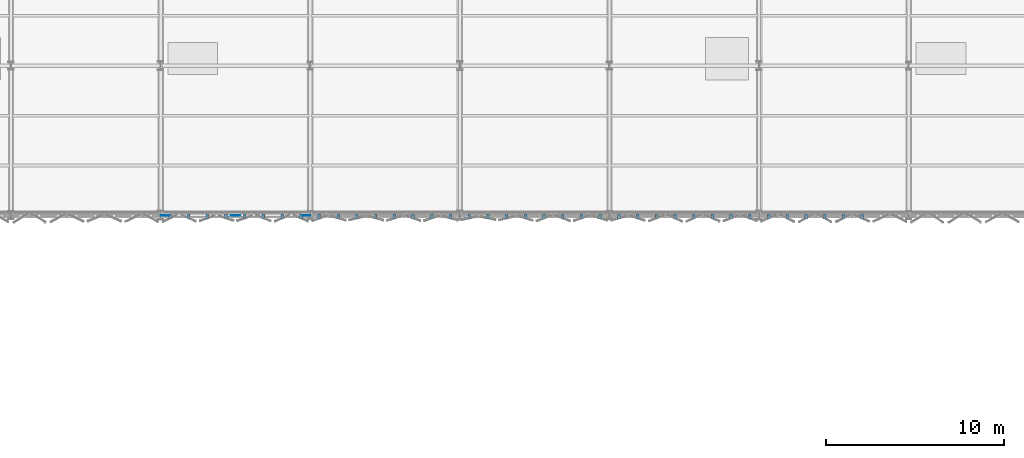
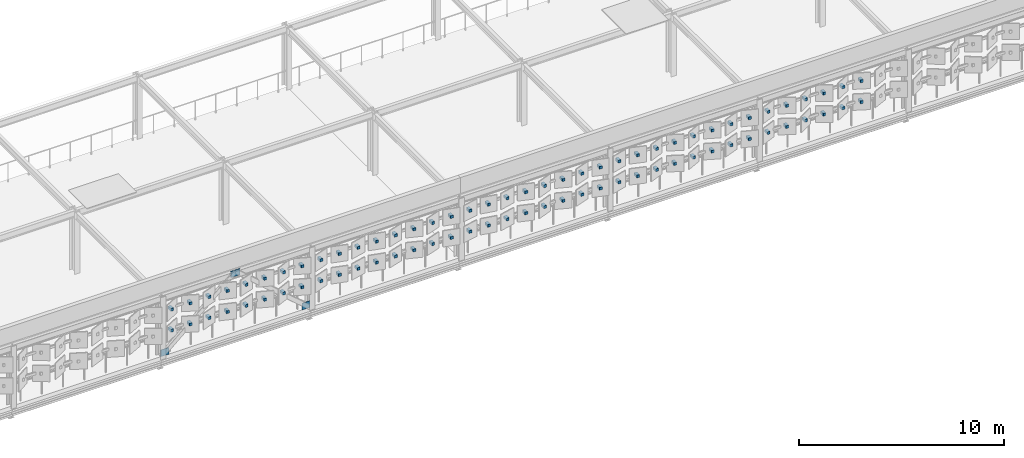
# One storey, part 57 of 65: 79 discrete accessories.
"""IFC4 building model written with IfcOpenShell, lengths in metres."""

from ifc_helpers import new_model, si_unit, direction, frame, origin, origin_2d, place, context, subcontext, project, spatial, rectangle, extrude, material, type_object, element, save


model = new_model("IFC4")

# Units and contexts
model_context = context("Model", 3, precision=1e-05, world=origin(), true_north=direction((0.0, 1.0)))
body_context = subcontext(model_context, "Body", "Model", "MODEL_VIEW")
ifc_project = project(units=[si_unit("LENGTHUNIT", "METRE"), si_unit("AREAUNIT", "SQUARE_METRE"), si_unit("VOLUMEUNIT", "CUBIC_METRE"), si_unit("PLANEANGLEUNIT", "RADIAN"), si_unit("MASSUNIT", "GRAM", prefix="KILO")], contexts=[model_context])

# Site, building, storey
site_placement = place(None, origin())
site = spatial("IfcSite", under=ifc_project, at=site_placement, CompositionType="ELEMENT")
building_placement = place(site_placement, origin())
building = spatial("IfcBuilding", under=site, at=building_placement, Name="Qalvenar Corner Mobility Hub", CompositionType="ELEMENT")
storey_placement = place(building_placement, frame((0.0, 0.0, 17.39990234375)))
storey = spatial("IfcBuildingStorey", under=building, at=storey_placement, Name="L04", CompositionType="ELEMENT", Elevation=17.39990234375)

# Discrete accessories
ifc_material = material(Name="Steel S355", Category="steel")
discrete_accessory_type_1 = type_object("IfcDiscreteAccessoryType", Name="ACC-GUSSET-PLT", PredefinedType="BRACKET", material=ifc_material)
discrete_accessory_placement = place(storey_placement, frame((88.199951171875, 67.199951171875, 3.330078125), z_axis=(0.0, 0.0, 1.0), x_axis=(1.0, 0.0, 0.0)))
element("IfcDiscreteAccessory", 1, at=discrete_accessory_placement, inside=storey, type_object=discrete_accessory_type_1, Name="Chevron Apex Gusset Plate GP-A-043", PredefinedType="BRACKET", context=body_context, shape_type="SweptSolid", body=[
    extrude(rectangle(XDim=0.52001953125, YDim=0.02490234375, at=origin_2d()), origin(), (0.0, 0.0, 1.0), 0.3798828125),
])
for number, where, z_axis, x_axis, name in (
    (2, (84.219970703125, 67.199951171875, 0.000244140625), (0.0, 0.0, 1.0), (1.0, 0.0, 0.0), "Brace Base Gusset Plate GP-B-044"),
    (3, (92.179931640625, 67.199951171875, 0.000244140625), (0.0, 0.0, 1.0), (1.0, 0.0, 0.0), "Brace Base Gusset Plate GP-B-045"),
):
    element("IfcDiscreteAccessory", number, at=place(storey_placement, frame(where, z_axis=z_axis, x_axis=x_axis)), inside=storey, type_object=discrete_accessory_type_1, Name=name, PredefinedType="BRACKET", context=body_context, shape_type="SweptSolid", body=[
        extrude(rectangle(XDim=0.449951171875, YDim=0.02490234375, at=origin_2d()), origin(), (0.0, 0.0, 1.0), 0.39990234375),
    ])
discrete_accessory_type_2 = type_object("IfcDiscreteAccessoryType", Name="ACC-HINGE-BRK", PredefinedType="BRACKET", material=ifc_material)
for number, where, z_axis, x_axis, name in (
    (4, (84.52490234375, 67.1201171875, 1.419921875), (0.0, 0.0, 1.0), (1.0, 0.0, 0.0), "Panel Hinge Bracket BK-L04-1113"),
    (5, (84.52490234375, 67.1201171875, 2.669921875), (0.0, 0.0, 1.0), (1.0, 0.0, 0.0), "Panel Hinge Bracket BK-L04-1114"),
    (6, (85.574951171875, 67.1201171875, 1.419921875), (0.0, 0.0, 1.0), (1.0, 0.0, 0.0), "Panel Hinge Bracket BK-L04-1115"),
    (7, (85.574951171875, 67.1201171875, 2.669921875), (0.0, 0.0, 1.0), (1.0, 0.0, 0.0), "Panel Hinge Bracket BK-L04-1116"),
    (8, (86.625, 67.1201171875, 1.419921875), (0.0, 0.0, 1.0), (1.0, 0.0, 0.0), "Panel Hinge Bracket BK-L04-1117"),
    (9, (86.625, 67.1201171875, 2.669921875), (0.0, 0.0, 1.0), (1.0, 0.0, 0.0), "Panel Hinge Bracket BK-L04-1118"),
    (10, (87.675048828125, 67.1201171875, 1.419921875), (0.0, 0.0, 1.0), (1.0, 0.0, 0.0), "Panel Hinge Bracket BK-L04-1119"),
    (11, (87.675048828125, 67.1201171875, 2.669921875), (0.0, 0.0, 1.0), (1.0, 0.0, 0.0), "Panel Hinge Bracket BK-L04-1120"),
    (12, (88.72509765625, 67.1201171875, 1.419921875), (0.0, 0.0, 1.0), (1.0, 0.0, 0.0), "Panel Hinge Bracket BK-L04-1121"),
    (13, (88.72509765625, 67.1201171875, 2.669921875), (0.0, 0.0, 1.0), (1.0, 0.0, 0.0), "Panel Hinge Bracket BK-L04-1122"),
    (14, (89.77490234375, 67.1201171875, 1.419921875), (0.0, 0.0, 1.0), (1.0, 0.0, 0.0), "Panel Hinge Bracket BK-L04-1123"),
    (15, (89.77490234375, 67.1201171875, 2.669921875), (0.0, 0.0, 1.0), (1.0, 0.0, 0.0), "Panel Hinge Bracket BK-L04-1124"),
    (16, (90.824951171875, 67.1201171875, 1.419921875), (0.0, 0.0, 1.0), (1.0, 0.0, 0.0), "Panel Hinge Bracket BK-L04-1125"),
    (17, (90.824951171875, 67.1201171875, 2.669921875), (0.0, 0.0, 1.0), (1.0, 0.0, 0.0), "Panel Hinge Bracket BK-L04-1126"),
    (18, (91.875, 67.1201171875, 1.419921875), (0.0, 0.0, 1.0), (1.0, 0.0, 0.0), "Panel Hinge Bracket BK-L04-1127"),
    (19, (91.875, 67.1201171875, 2.669921875), (0.0, 0.0, 1.0), (1.0, 0.0, 0.0), "Panel Hinge Bracket BK-L04-1128"),
    (20, (92.925048828125, 67.1201171875, 1.419921875), (0.0, 0.0, 1.0), (1.0, 0.0, 0.0), "Panel Hinge Bracket BK-L04-1129"),
    (21, (92.925048828125, 67.1201171875, 2.669921875), (0.0, 0.0, 1.0), (1.0, 0.0, 0.0), "Panel Hinge Bracket BK-L04-1130"),
    (22, (93.97509765625, 67.1201171875, 1.419921875), (0.0, 0.0, 1.0), (1.0, 0.0, 0.0), "Panel Hinge Bracket BK-L04-1131"),
    (23, (93.97509765625, 67.1201171875, 2.669921875), (0.0, 0.0, 1.0), (1.0, 0.0, 0.0), "Panel Hinge Bracket BK-L04-1132"),
    (24, (95.02490234375, 67.1201171875, 1.419921875), (0.0, 0.0, 1.0), (1.0, 0.0, 0.0), "Panel Hinge Bracket BK-L04-1133"),
    (25, (95.02490234375, 67.1201171875, 2.669921875), (0.0, 0.0, 1.0), (1.0, 0.0, 0.0), "Panel Hinge Bracket BK-L04-1134"),
    (26, (96.074951171875, 67.1201171875, 1.419921875), (0.0, 0.0, 1.0), (1.0, 0.0, 0.0), "Panel Hinge Bracket BK-L04-1135"),
    (27, (96.074951171875, 67.1201171875, 2.669921875), (0.0, 0.0, 1.0), (1.0, 0.0, 0.0), "Panel Hinge Bracket BK-L04-1136"),
    (28, (97.125, 67.1201171875, 1.419921875), (0.0, 0.0, 1.0), (1.0, 0.0, 0.0), "Panel Hinge Bracket BK-L04-1137"),
    (29, (97.125, 67.1201171875, 2.669921875), (0.0, 0.0, 1.0), (1.0, 0.0, 0.0), "Panel Hinge Bracket BK-L04-1138"),
    (30, (98.175048828125, 67.1201171875, 1.419921875), (0.0, 0.0, 1.0), (1.0, 0.0, 0.0), "Panel Hinge Bracket BK-L04-1139"),
    (31, (98.175048828125, 67.1201171875, 2.669921875), (0.0, 0.0, 1.0), (1.0, 0.0, 0.0), "Panel Hinge Bracket BK-L04-1140"),
    (32, (99.22509765625, 67.1201171875, 1.419921875), (0.0, 0.0, 1.0), (1.0, 0.0, 0.0), "Panel Hinge Bracket BK-L04-1141"),
    (33, (99.22509765625, 67.1201171875, 2.669921875), (0.0, 0.0, 1.0), (1.0, 0.0, 0.0), "Panel Hinge Bracket BK-L04-1142"),
    (34, (100.27490234375, 67.1201171875, 1.419921875), (0.0, 0.0, 1.0), (1.0, 0.0, 0.0), "Panel Hinge Bracket BK-L04-1143"),
    (35, (100.27490234375, 67.1201171875, 2.669921875), (0.0, 0.0, 1.0), (1.0, 0.0, 0.0), "Panel Hinge Bracket BK-L04-1144"),
    (36, (101.324951171875, 67.1201171875, 1.419921875), (0.0, 0.0, 1.0), (1.0, 0.0, 0.0), "Panel Hinge Bracket BK-L04-1145"),
    (37, (101.324951171875, 67.1201171875, 2.669921875), (0.0, 0.0, 1.0), (1.0, 0.0, 0.0), "Panel Hinge Bracket BK-L04-1146"),
    (38, (102.375, 67.1201171875, 1.419921875), (0.0, 0.0, 1.0), (1.0, 0.0, 0.0), "Panel Hinge Bracket BK-L04-1147"),
    (39, (102.375, 67.1201171875, 2.669921875), (0.0, 0.0, 1.0), (1.0, 0.0, 0.0), "Panel Hinge Bracket BK-L04-1148"),
    (40, (103.425048828125, 67.1201171875, 1.419921875), (0.0, 0.0, 1.0), (1.0, 0.0, 0.0), "Panel Hinge Bracket BK-L04-1149"),
    (41, (103.425048828125, 67.1201171875, 2.669921875), (0.0, 0.0, 1.0), (1.0, 0.0, 0.0), "Panel Hinge Bracket BK-L04-1150"),
    (42, (104.47509765625, 67.1201171875, 1.419921875), (0.0, 0.0, 1.0), (1.0, 0.0, 0.0), "Panel Hinge Bracket BK-L04-1151"),
    (43, (104.47509765625, 67.1201171875, 2.669921875), (0.0, 0.0, 1.0), (1.0, 0.0, 0.0), "Panel Hinge Bracket BK-L04-1152"),
    (44, (105.52490234375, 67.1201171875, 1.419921875), (0.0, 0.0, 1.0), (1.0, 0.0, 0.0), "Panel Hinge Bracket BK-L04-1153"),
    (45, (105.52490234375, 67.1201171875, 2.669921875), (0.0, 0.0, 1.0), (1.0, 0.0, 0.0), "Panel Hinge Bracket BK-L04-1154"),
    (46, (106.574951171875, 67.1201171875, 1.419921875), (0.0, 0.0, 1.0), (1.0, 0.0, 0.0), "Panel Hinge Bracket BK-L04-1155"),
    (47, (106.574951171875, 67.1201171875, 2.669921875), (0.0, 0.0, 1.0), (1.0, 0.0, 0.0), "Panel Hinge Bracket BK-L04-1156"),
    (48, (107.625, 67.1201171875, 1.419921875), (0.0, 0.0, 1.0), (1.0, 0.0, 0.0), "Panel Hinge Bracket BK-L04-1157"),
    (49, (107.625, 67.1201171875, 2.669921875), (0.0, 0.0, 1.0), (1.0, 0.0, 0.0), "Panel Hinge Bracket BK-L04-1158"),
    (50, (108.675048828125, 67.1201171875, 1.419921875), (0.0, 0.0, 1.0), (1.0, 0.0, 0.0), "Panel Hinge Bracket BK-L04-1159"),
    (51, (108.675048828125, 67.1201171875, 2.669921875), (0.0, 0.0, 1.0), (1.0, 0.0, 0.0), "Panel Hinge Bracket BK-L04-1160"),
    (52, (109.72509765625, 67.1201171875, 1.419921875), (0.0, 0.0, 1.0), (1.0, 0.0, 0.0), "Panel Hinge Bracket BK-L04-1161"),
    (53, (109.72509765625, 67.1201171875, 2.669921875), (0.0, 0.0, 1.0), (1.0, 0.0, 0.0), "Panel Hinge Bracket BK-L04-1162"),
    (54, (110.77490234375, 67.1201171875, 1.419921875), (0.0, 0.0, 1.0), (1.0, 0.0, 0.0), "Panel Hinge Bracket BK-L04-1163"),
    (55, (110.77490234375, 67.1201171875, 2.669921875), (0.0, 0.0, 1.0), (1.0, 0.0, 0.0), "Panel Hinge Bracket BK-L04-1164"),
    (56, (111.824951171875, 67.1201171875, 1.419921875), (0.0, 0.0, 1.0), (1.0, 0.0, 0.0), "Panel Hinge Bracket BK-L04-1165"),
    (57, (111.824951171875, 67.1201171875, 2.669921875), (0.0, 0.0, 1.0), (1.0, 0.0, 0.0), "Panel Hinge Bracket BK-L04-1166"),
    (58, (112.875, 67.1201171875, 1.419921875), (0.0, 0.0, 1.0), (1.0, 0.0, 0.0), "Panel Hinge Bracket BK-L04-1167"),
    (59, (112.875, 67.1201171875, 2.669921875), (0.0, 0.0, 1.0), (1.0, 0.0, 0.0), "Panel Hinge Bracket BK-L04-1168"),
    (60, (113.925048828125, 67.1201171875, 1.419921875), (0.0, 0.0, 1.0), (1.0, 0.0, 0.0), "Panel Hinge Bracket BK-L04-1169"),
    (61, (113.925048828125, 67.1201171875, 2.669921875), (0.0, 0.0, 1.0), (1.0, 0.0, 0.0), "Panel Hinge Bracket BK-L04-1170"),
    (62, (114.97509765625, 67.1201171875, 1.419921875), (0.0, 0.0, 1.0), (1.0, 0.0, 0.0), "Panel Hinge Bracket BK-L04-1171"),
    (63, (114.97509765625, 67.1201171875, 2.669921875), (0.0, 0.0, 1.0), (1.0, 0.0, 0.0), "Panel Hinge Bracket BK-L04-1172"),
    (64, (116.02490234375, 67.1201171875, 1.419921875), (0.0, 0.0, 1.0), (1.0, 0.0, 0.0), "Panel Hinge Bracket BK-L04-1173"),
    (65, (116.02490234375, 67.1201171875, 2.669921875), (0.0, 0.0, 1.0), (1.0, 0.0, 0.0), "Panel Hinge Bracket BK-L04-1174"),
    (66, (117.074951171875, 67.1201171875, 1.419921875), (0.0, 0.0, 1.0), (1.0, 0.0, 0.0), "Panel Hinge Bracket BK-L04-1175"),
    (67, (117.074951171875, 67.1201171875, 2.669921875), (0.0, 0.0, 1.0), (1.0, 0.0, 0.0), "Panel Hinge Bracket BK-L04-1176"),
    (68, (118.125, 67.1201171875, 1.419921875), (0.0, 0.0, 1.0), (1.0, 0.0, 0.0), "Panel Hinge Bracket BK-L04-1177"),
    (69, (118.125, 67.1201171875, 2.669921875), (0.0, 0.0, 1.0), (1.0, 0.0, 0.0), "Panel Hinge Bracket BK-L04-1178"),
    (70, (119.175048828125, 67.1201171875, 1.419921875), (0.0, 0.0, 1.0), (1.0, 0.0, 0.0), "Panel Hinge Bracket BK-L04-1179"),
    (71, (119.175048828125, 67.1201171875, 2.669921875), (0.0, 0.0, 1.0), (1.0, 0.0, 0.0), "Panel Hinge Bracket BK-L04-1180"),
    (72, (120.22509765625, 67.1201171875, 1.419921875), (0.0, 0.0, 1.0), (1.0, 0.0, 0.0), "Panel Hinge Bracket BK-L04-1181"),
    (73, (120.22509765625, 67.1201171875, 2.669921875), (0.0, 0.0, 1.0), (1.0, 0.0, 0.0), "Panel Hinge Bracket BK-L04-1182"),
    (74, (121.27490234375, 67.1201171875, 1.419921875), (0.0, 0.0, 1.0), (1.0, 0.0, 0.0), "Panel Hinge Bracket BK-L04-1183"),
    (75, (121.27490234375, 67.1201171875, 2.669921875), (0.0, 0.0, 1.0), (1.0, 0.0, 0.0), "Panel Hinge Bracket BK-L04-1184"),
    (76, (122.324951171875, 67.1201171875, 1.419921875), (0.0, 0.0, 1.0), (1.0, 0.0, 0.0), "Panel Hinge Bracket BK-L04-1185"),
    (77, (122.324951171875, 67.1201171875, 2.669921875), (0.0, 0.0, 1.0), (1.0, 0.0, 0.0), "Panel Hinge Bracket BK-L04-1186"),
    (78, (123.375, 67.1201171875, 1.419921875), (0.0, 0.0, 1.0), (1.0, 0.0, 0.0), "Panel Hinge Bracket BK-L04-1187"),
    (79, (123.375, 67.1201171875, 2.669921875), (0.0, 0.0, 1.0), (1.0, 0.0, 0.0), "Panel Hinge Bracket BK-L04-1188"),
):
    element("IfcDiscreteAccessory", number, at=place(storey_placement, frame(where, z_axis=z_axis, x_axis=x_axis)), inside=storey, type_object=discrete_accessory_type_2, Name=name, PredefinedType="BRACKET", context=body_context, shape_type="SweptSolid", body=[
        extrude(rectangle(XDim=0.159912109375, YDim=0.260009765625, at=origin_2d()), origin(), (0.0, 0.0, 1.0), 0.159912109375),
    ])

save(model, "model.ifc")
